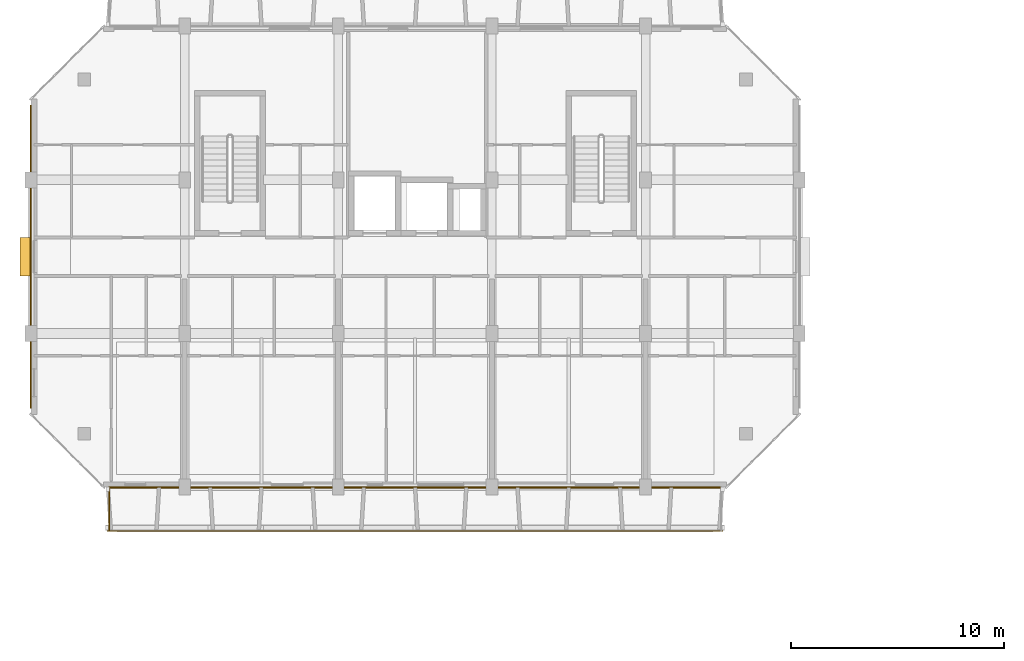
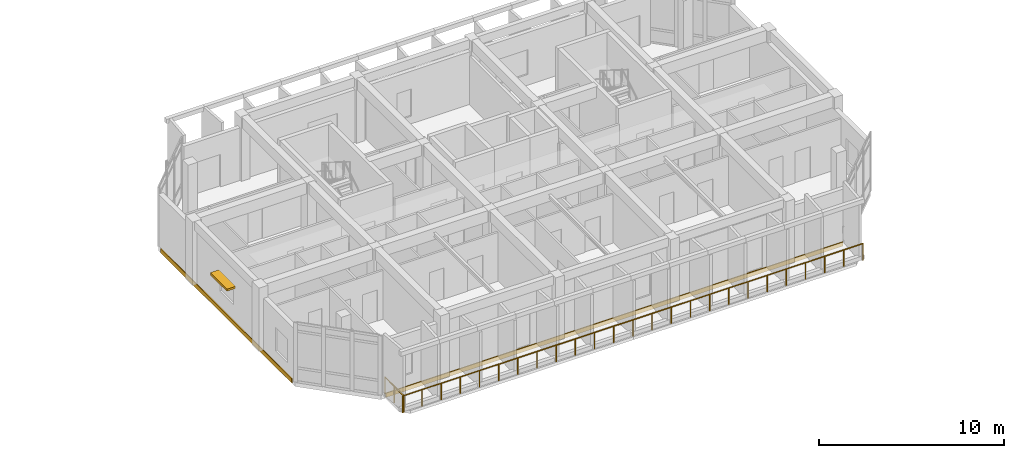
# One storey, part 68 of 85: 2 coverings, 2 railings, 1 shading device.
"""IFC4 building model written with IfcOpenShell, lengths in metres."""

from ifc_helpers import new_model, si_unit, direction, frame, origin, origin_2d, place, context, subcontext, project, spatial, rectangle, circle, extrude, material, layer, layer_set, type_object, element, save


model = new_model("IFC4")

# Units and contexts
model_context = context("Model", 3, precision=1e-05, world=origin(), true_north=direction((0.0, 1.0)))
body_context = subcontext(model_context, "Body", "Model", "MODEL_VIEW")
ifc_project = project(units=[si_unit("LENGTHUNIT", "METRE"), si_unit("AREAUNIT", "SQUARE_METRE"), si_unit("VOLUMEUNIT", "CUBIC_METRE"), si_unit("PLANEANGLEUNIT", "RADIAN"), si_unit("MASSUNIT", "GRAM", prefix="KILO")], contexts=[model_context])

# Site, building, storey
site_placement = place(None, origin())
site = spatial("IfcSite", under=ifc_project, at=site_placement, CompositionType="ELEMENT")
building_placement = place(site_placement, origin())
building = spatial("IfcBuilding", under=site, at=building_placement, Name="Ochrevale Crest", CompositionType="ELEMENT")
storey_placement = place(building_placement, frame((0.0, 0.0, 4.5)))
storey = spatial("IfcBuildingStorey", under=building, at=storey_placement, Name="L01", CompositionType="ELEMENT", Elevation=4.5)

# Coverings
ifc_material_1 = material(Name="Glazed terracotta rainscreen tile", Category="masonry")
ifc_layer = layer(ifc_material_1, 0.048095703125)
ifc_layer_set = layer_set([ifc_layer], Name="Glazed terracotta rainscreen tile")
covering_type = type_object("IfcCoveringType", Name="COV-CLAD-TER", PredefinedType="CLADDING", material=ifc_layer_set)
covering_1_placement = place(storey_placement, frame((18.0, 14.387451171875, -0.26025390625), z_axis=(0.0, 0.0, 1.0), x_axis=(1.0, 0.0, 0.0)))
element("IfcCovering", 1, at=covering_1_placement, inside=storey, type_object=covering_type, Name="Block A L01 terracotta slab-edge spandrel cladding", PredefinedType="CLADDING", context=body_context, shape_type="SweptSolid", body=[
    extrude(rectangle(XDim=28.60009765625, YDim=0.06005859375, at=origin_2d()), origin(), (0.0, 0.0, 1.0), 0.280029296875),
])
covering_2_placement = place(storey_placement, frame((-0.014404296875, 25.199951171875, -0.26025390625), z_axis=(0.0, 0.0, 1.0), x_axis=(0.0, -1.0, 0.0)))
element("IfcCovering", 2, at=covering_2_placement, inside=storey, type_object=covering_type, Name="Block A L01 terracotta slab-edge spandrel cladding", PredefinedType="CLADDING", context=body_context, shape_type="SweptSolid", body=[
    extrude(rectangle(XDim=14.199951171875, YDim=0.06005859375, at=origin_2d()), origin(), (0.0, 0.0, 1.0), 0.280029296875),
])

# Railings
ifc_material_2 = material(Name="Galvanised steel", Category="steel")
railing_type = type_object("IfcRailingType", Name="RL-BAL-1100", PredefinedType="BALUSTRADE", material=ifc_material_2)
railing_1_placement = place(storey_placement, frame((3.60009765625, 12.360107421875, 0.0)))
element("IfcRailing", 3, at=railing_1_placement, inside=storey, type_object=railing_type, Name="Block A L01 S balcony front balustrade", PredefinedType="BALUSTRADE", context=body_context, shape_type="SweptSolid", body=[
    extrude(circle(Radius=0.02392578125, at=origin_2d()), frame((0.0, 0.0, 1.0859375), z_axis=(1.0, 0.0, 0.0), x_axis=(0.0, 1.0, 0.0)), (0.0, 0.0, 1.0), 28.7998046875),
    extrude(circle(Radius=0.02099609375, at=origin_2d()), origin(), (0.0, 0.0, 1.0), 1.06201171875),
    extrude(circle(Radius=0.02099609375, at=origin_2d()), frame((1.199951171875, 0.0, 0.0)), (0.0, 0.0, 1.0), 1.06201171875),
    extrude(circle(Radius=0.02099609375, at=origin_2d()), frame((2.39990234375, 0.0, 0.0)), (0.0, 0.0, 1.0), 1.06201171875),
    extrude(circle(Radius=0.02099609375, at=origin_2d()), frame((3.60009765625, 0.0, 0.0)), (0.0, 0.0, 1.0), 1.06201171875),
    extrude(circle(Radius=0.02099609375, at=origin_2d()), frame((4.800048828125, 0.0, 0.0)), (0.0, 0.0, 1.0), 1.06201171875),
    extrude(circle(Radius=0.02099609375, at=origin_2d()), frame((6.0, 0.0, 0.0)), (0.0, 0.0, 1.0), 1.06201171875),
    extrude(circle(Radius=0.02099609375, at=origin_2d()), frame((7.199951171875, 0.0, 0.0)), (0.0, 0.0, 1.0), 1.06201171875),
    extrude(circle(Radius=0.02099609375, at=origin_2d()), frame((8.39990234375, 0.0, 0.0)), (0.0, 0.0, 1.0), 1.06201171875),
    extrude(circle(Radius=0.02099609375, at=origin_2d()), frame((9.599853515625, 0.0, 0.0)), (0.0, 0.0, 1.0), 1.06201171875),
    extrude(circle(Radius=0.02099609375, at=origin_2d()), frame((10.7998046875, 0.0, 0.0)), (0.0, 0.0, 1.0), 1.06201171875),
    extrude(circle(Radius=0.02099609375, at=origin_2d()), frame((12.0, 0.0, 0.0)), (0.0, 0.0, 1.0), 1.06201171875),
    extrude(circle(Radius=0.02099609375, at=origin_2d()), frame((13.199951171875, 0.0, 0.0)), (0.0, 0.0, 1.0), 1.06201171875),
    extrude(circle(Radius=0.02099609375, at=origin_2d()), frame((14.39990234375, 0.0, 0.0)), (0.0, 0.0, 1.0), 1.06201171875),
    extrude(circle(Radius=0.02099609375, at=origin_2d()), frame((15.599853515625, 0.0, 0.0)), (0.0, 0.0, 1.0), 1.06201171875),
    extrude(circle(Radius=0.02099609375, at=origin_2d()), frame((16.7998046875, 0.0, 0.0)), (0.0, 0.0, 1.0), 1.06201171875),
    extrude(circle(Radius=0.02099609375, at=origin_2d()), frame((18.0, 0.0, 0.0)), (0.0, 0.0, 1.0), 1.06201171875),
    extrude(circle(Radius=0.02099609375, at=origin_2d()), frame((19.199951171875, 0.0, 0.0)), (0.0, 0.0, 1.0), 1.06201171875),
    extrude(circle(Radius=0.02099609375, at=origin_2d()), frame((20.39990234375, 0.0, 0.0)), (0.0, 0.0, 1.0), 1.06201171875),
    extrude(circle(Radius=0.02099609375, at=origin_2d()), frame((21.599853515625, 0.0, 0.0)), (0.0, 0.0, 1.0), 1.06201171875),
    extrude(circle(Radius=0.02099609375, at=origin_2d()), frame((22.7998046875, 0.0, 0.0)), (0.0, 0.0, 1.0), 1.06201171875),
    extrude(circle(Radius=0.02099609375, at=origin_2d()), frame((23.999755859375, 0.0, 0.0)), (0.0, 0.0, 1.0), 1.06201171875),
    extrude(circle(Radius=0.02099609375, at=origin_2d()), frame((25.19970703125, 0.0, 0.0)), (0.0, 0.0, 1.0), 1.06201171875),
    extrude(circle(Radius=0.02099609375, at=origin_2d()), frame((26.39990234375, 0.0, 0.0)), (0.0, 0.0, 1.0), 1.06201171875),
    extrude(circle(Radius=0.02099609375, at=origin_2d()), frame((27.599853515625, 0.0, 0.0)), (0.0, 0.0, 1.0), 1.06201171875),
    extrude(circle(Radius=0.02099609375, at=origin_2d()), frame((28.7998046875, 0.0, 0.0)), (0.0, 0.0, 1.0), 1.06201171875),
])
railing_2_placement = place(storey_placement, frame((3.659912109375, 14.39990234375, 0.0)))
element("IfcRailing", 4, at=railing_2_placement, inside=storey, type_object=railing_type, Name="Block A L01 S-W balcony side guard", PredefinedType="BALUSTRADE", context=body_context, shape_type="SweptSolid", body=[
    extrude(circle(Radius=0.02392578125, at=origin_2d()), frame((0.0, 0.0, 1.0859375), z_axis=(0.0, -1.0, 0.0), x_axis=(1.0, 0.0, 0.0)), (0.0, 0.0, 1.0), 2.039794921875),
    extrude(circle(Radius=0.02099609375, at=origin_2d()), origin(), (0.0, 0.0, 1.0), 1.06201171875),
    extrude(circle(Radius=0.02099609375, at=origin_2d()), frame((0.0, -1.02001953125, 0.0)), (0.0, 0.0, 1.0), 1.06201171875),
    extrude(circle(Radius=0.02099609375, at=origin_2d()), frame((0.0, -2.039794921875, 0.0)), (0.0, 0.0, 1.0), 1.06201171875),
])

# Shading device
ifc_material_3 = material(Name="Anodised aluminium 6063-T5", Category="aluminium")
shading_device_type = type_object("IfcShadingDeviceType", Name="SHD-SUNSHADE-OC", PredefinedType="USERDEFINED", material=ifc_material_3)
shading_device_placement = place(storey_placement, frame((-0.239990234375, 25.199951171875, 2.2099609375), z_axis=(0.0, 0.0, 1.0), x_axis=(1.0, 0.0, 0.0)))
element("IfcShadingDevice", 5, at=shading_device_placement, inside=storey, type_object=shading_device_type, Name="Block A L01 gable window sunshade W", ObjectType="HORIZONTAL SUNSHADE", PredefinedType="USERDEFINED", context=body_context, shape_type="SweptSolid", body=[
    extrude(rectangle(XDim=0.550048828125, YDim=1.800048828125, at=origin_2d()), origin(), (0.0, 0.0, 1.0), 0.139892578125),
])

save(model, "model.ifc")
